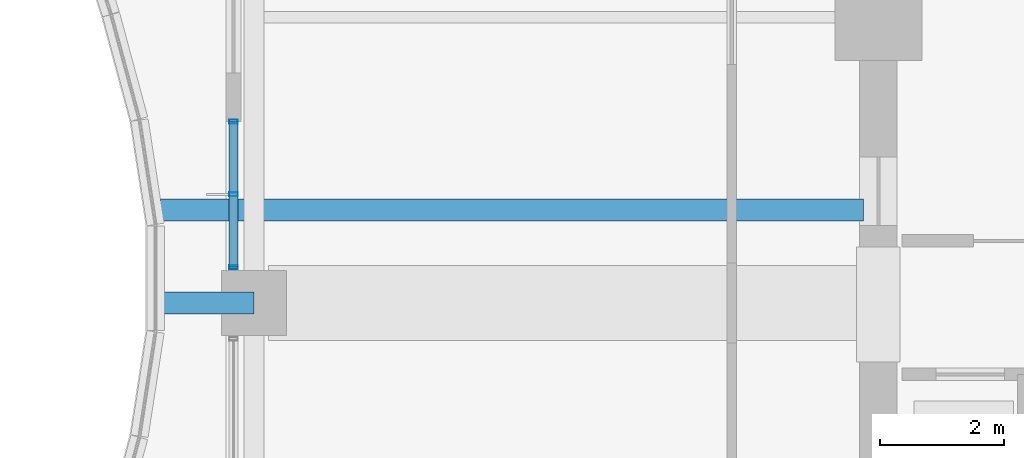
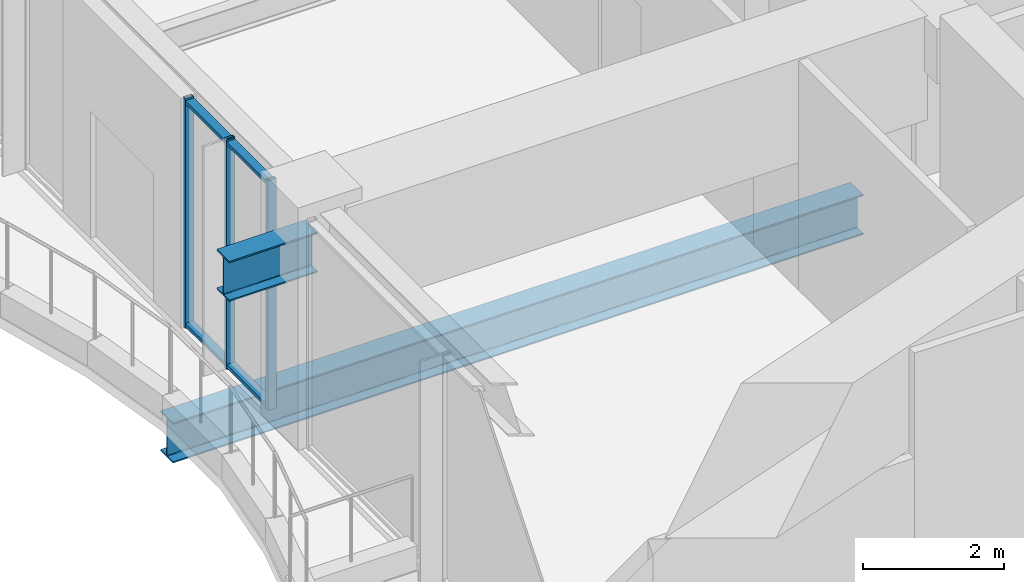
# One storey, part 8 of 40: 5 members, 2 beams, 1 element without a shape of its own.
"""IFC4 building model written with IfcOpenShell, lengths in metres."""

from ifc_helpers import new_model, si_unit, direction, frame, origin, origin_2d, place, context, subcontext, project, spatial, hollow_rectangle, i_section, extrude, material, material_profile, profile_set, type_object, element, aggregate, save


model = new_model("IFC4")

# Units and contexts
model_context = context("Model", 3, precision=1e-05, world=origin(), true_north=direction((0.0, 1.0)))
body_context = subcontext(model_context, "Body", "Model", "MODEL_VIEW")
ifc_project = project(units=[si_unit("LENGTHUNIT", "METRE"), si_unit("AREAUNIT", "SQUARE_METRE"), si_unit("VOLUMEUNIT", "CUBIC_METRE"), si_unit("PLANEANGLEUNIT", "RADIAN"), si_unit("MASSUNIT", "GRAM", prefix="KILO")], contexts=[model_context])

# Site, building, storey
site_placement = place(None, origin())
site = spatial("IfcSite", under=ifc_project, at=site_placement, CompositionType="ELEMENT")
building_placement = place(site_placement, origin())
building = spatial("IfcBuilding", under=site, at=building_placement, Name="Kolvaren Belvedere", CompositionType="ELEMENT")
storey_placement = place(building_placement, frame((0.0, 0.0, 68.0)))
storey = spatial("IfcBuildingStorey", under=building, at=storey_placement, Name="L19", CompositionType="ELEMENT", Elevation=68.0)

# Beams
ifc_material_1 = material(Name="Structural steel ASTM A992 Grade 50", Category="steel")
ifc_material_profile_1 = material_profile(ifc_material_1, i_section(OverallWidth=0.35498046875, OverallDepth=0.696044921875, WebThickness=0.015380859375, FlangeThickness=0.02490234375, FilletRadius=0.02197265625, at=origin_2d()), Name="W27X146")
ifc_profile_set_1 = profile_set([ifc_material_profile_1], Name="Structural steel ASTM A992 Grade 50")
beam_type_1 = type_object("IfcBeamType", Name="BM-CANT-BAL", PredefinedType="BEAM", material=ifc_profile_set_1)
beam_1_placement = place(storey_placement, frame((-19.949951171875, -4.60009765625, 3.0419921875), z_axis=(-1.0, 0.0, 0.0), x_axis=(0.0, -1.0, 0.0)))
element("IfcBeam", 1, at=beam_1_placement, inside=storey, type_object=beam_type_1, Name="L19 West Picture-Frame Column Corbel M", PredefinedType="BEAM", context=body_context, shape_type="SweptSolid", body=[
    extrude(i_section(OverallWidth=0.35498046875, OverallDepth=0.696044921875, WebThickness=0.015380859375, FlangeThickness=0.02490234375, FilletRadius=0.02197265625, at=origin_2d()), origin(), (0.0, 0.0, 1.0), 1.449951171875),
])
ifc_material_2 = material(Name="Structural steel ASTM A992 Grade 50", Category="steel")
ifc_material_profile_2 = material_profile(ifc_material_2, i_section(OverallWidth=0.35498046875, OverallDepth=0.696044921875, WebThickness=0.015380859375, FlangeThickness=0.02490234375, FilletRadius=0.02197265625, at=origin_2d()), Name="W27X146")
ifc_profile_set_2 = profile_set([ifc_material_profile_2], Name="Structural steel ASTM A992 Grade 50")
beam_type_2 = type_object("IfcBeamType", Name="BM-GIRD-W27X146", PredefinedType="BEAM", material=ifc_profile_set_2)
beam_2_placement = place(storey_placement, frame((-10.139892578125, -3.10009765625, -0.64794921875), z_axis=(-1.0, 0.0, 0.0), x_axis=(0.0, -1.0, 0.0)))
element("IfcBeam", 2, at=beam_2_placement, inside=storey, type_object=beam_type_2, Name="L19 Balcony Interior Back-Span Girder BAL-W-1", PredefinedType="BEAM", context=body_context, shape_type="SweptSolid", body=[
    extrude(i_section(OverallWidth=0.35498046875, OverallDepth=0.696044921875, WebThickness=0.015380859375, FlangeThickness=0.02490234375, FilletRadius=0.02197265625, at=origin_2d()), origin(), (0.0, 0.0, 1.0), 11.315185546875),
])

# Curtain wall, members
ifc_material_3 = material(Name="Anodised pale-metal aluminium AA 6063-T6", Category="aluminium")
curtain_wall_type = type_object("IfcCurtainWallType", Name="CW-Z2-MID", PredefinedType="NOTDEFINED", material=ifc_material_3)
curtain_wall_placement = place(storey_placement, origin())
curtain_wall = element("IfcCurtainWall", 3, at=curtain_wall_placement, inside=storey, type_object=curtain_wall_type, Name="L19 Unitised Curtain Wall FCW-L19-W1-B2", PredefinedType="NOTDEFINED")
ifc_material_4 = material(Name="Anodised pale-metal aluminium AA 6063-T6", Category="aluminium")
ifc_material_profile_3 = material_profile(ifc_material_4, hollow_rectangle(XDim=0.06494140625, YDim=0.139892578125, WallThickness=0.00390625, at=origin_2d()), Name="ALU-MUL-140X65")
ifc_profile_set_3 = profile_set([ifc_material_profile_3], Name="Anodised pale-metal aluminium AA 6063-T6")
member_type_1 = type_object("IfcMemberType", Name="CW-MUL-140", PredefinedType="MULLION", material=ifc_profile_set_3)
member_1_placement = place(storey_placement, frame((-20.280029296875, -4.0224609375, 0.0), z_axis=(0.0, 0.0, 1.0), x_axis=(0.0, 1.0, 0.0)))
member_1 = element("IfcMember", 4, at=member_1_placement, type_object=member_type_1, Name="FCW-L19-W1-B2 Unitised Mullion 1", PredefinedType="MULLION", context=body_context, shape_type="SweptSolid", body=[
    extrude(hollow_rectangle(XDim=0.06494140625, YDim=0.139892578125, WallThickness=0.00390625, at=origin_2d()), origin(), (0.0, 0.0, 1.0), 3.97998046875),
])
member_2_placement = place(storey_placement, frame((-20.280029296875, -2.851318359375, 0.0), z_axis=(0.0, 0.0, 1.0), x_axis=(0.0, 1.0, 0.0)))
member_2 = element("IfcMember", 5, at=member_2_placement, type_object=member_type_1, Name="FCW-L19-W1-B2 Unitised Mullion 2", PredefinedType="MULLION", context=body_context, shape_type="SweptSolid", body=[
    extrude(hollow_rectangle(XDim=0.06494140625, YDim=0.139892578125, WallThickness=0.00390625, at=origin_2d()), origin(), (0.0, 0.0, 1.0), 3.97998046875),
])
member_3_placement = place(storey_placement, frame((-20.280029296875, -1.679931640625, 0.0), z_axis=(0.0, 0.0, 1.0), x_axis=(0.0, 1.0, 0.0)))
member_3 = element("IfcMember", 6, at=member_3_placement, type_object=member_type_1, Name="FCW-L19-W1-B2 Unitised Mullion 3", PredefinedType="MULLION", context=body_context, shape_type="SweptSolid", body=[
    extrude(hollow_rectangle(XDim=0.06494140625, YDim=0.139892578125, WallThickness=0.00390625, at=origin_2d()), origin(), (0.0, 0.0, 1.0), 3.97998046875),
])
ifc_material_5 = material(Name="Anodised pale-metal aluminium AA 6063-T6", Category="aluminium")
ifc_material_profile_4 = material_profile(ifc_material_5, hollow_rectangle(XDim=0.06005859375, YDim=0.139892578125, WallThickness=0.00390625, at=origin_2d()), Name="ALU-TRN-140X60")
ifc_profile_set_4 = profile_set([ifc_material_profile_4], Name="Anodised pale-metal aluminium AA 6063-T6")
member_type_2 = type_object("IfcMemberType", Name="CW-TRN-140", PredefinedType="USERDEFINED", material=ifc_profile_set_4)
member_4_placement = place(storey_placement, frame((-20.280029296875, -4.0224609375, 0.06005859375), z_axis=(0.0, 1.0, 0.0), x_axis=(0.0, 0.0, 1.0)))
member_4 = element("IfcMember", 7, at=member_4_placement, type_object=member_type_2, Name="FCW-L19-W1-B2 Sill Transom", ObjectType="TRANSOM", PredefinedType="USERDEFINED", context=body_context, shape_type="SweptSolid", body=[
    extrude(hollow_rectangle(XDim=0.06005859375, YDim=0.139892578125, WallThickness=0.00390625, at=origin_2d()), origin(), (0.0, 0.0, 1.0), 2.342529296875),
])
member_5_placement = place(storey_placement, frame((-20.280029296875, -4.0224609375, 3.919921875), z_axis=(0.0, 1.0, 0.0), x_axis=(0.0, 0.0, 1.0)))
member_5 = element("IfcMember", 8, at=member_5_placement, type_object=member_type_2, Name="FCW-L19-W1-B2 Head Transom", ObjectType="TRANSOM", PredefinedType="USERDEFINED", context=body_context, shape_type="SweptSolid", body=[
    extrude(hollow_rectangle(XDim=0.06005859375, YDim=0.139892578125, WallThickness=0.00390625, at=origin_2d()), origin(), (0.0, 0.0, 1.0), 2.342529296875),
])
aggregate(curtain_wall, [member_1, member_2, member_3, member_4, member_5])

save(model, "model.ifc")
